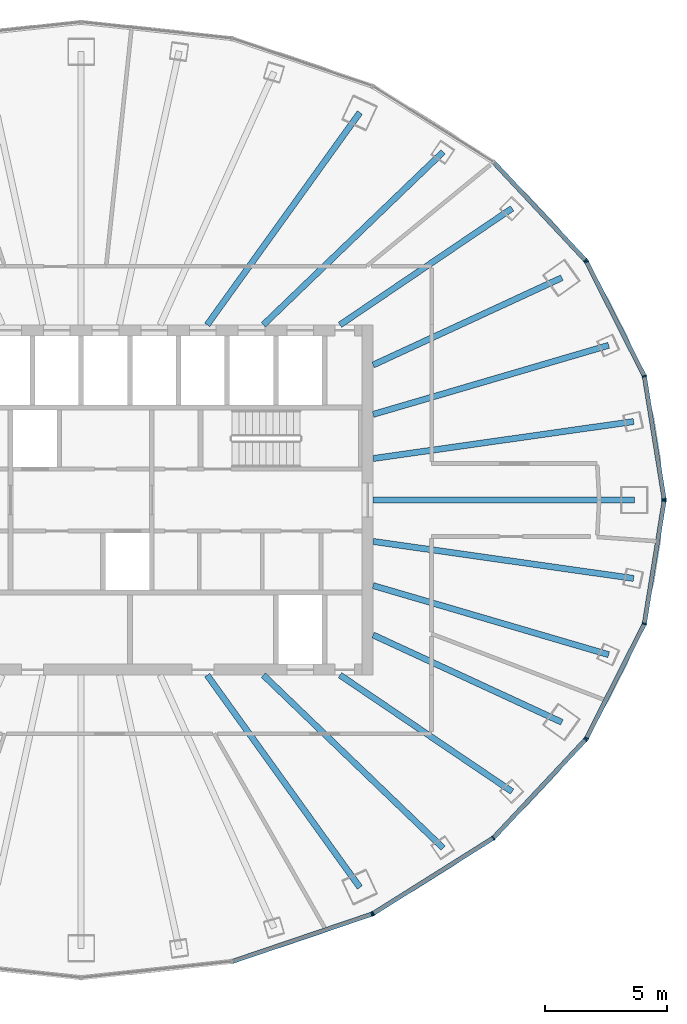
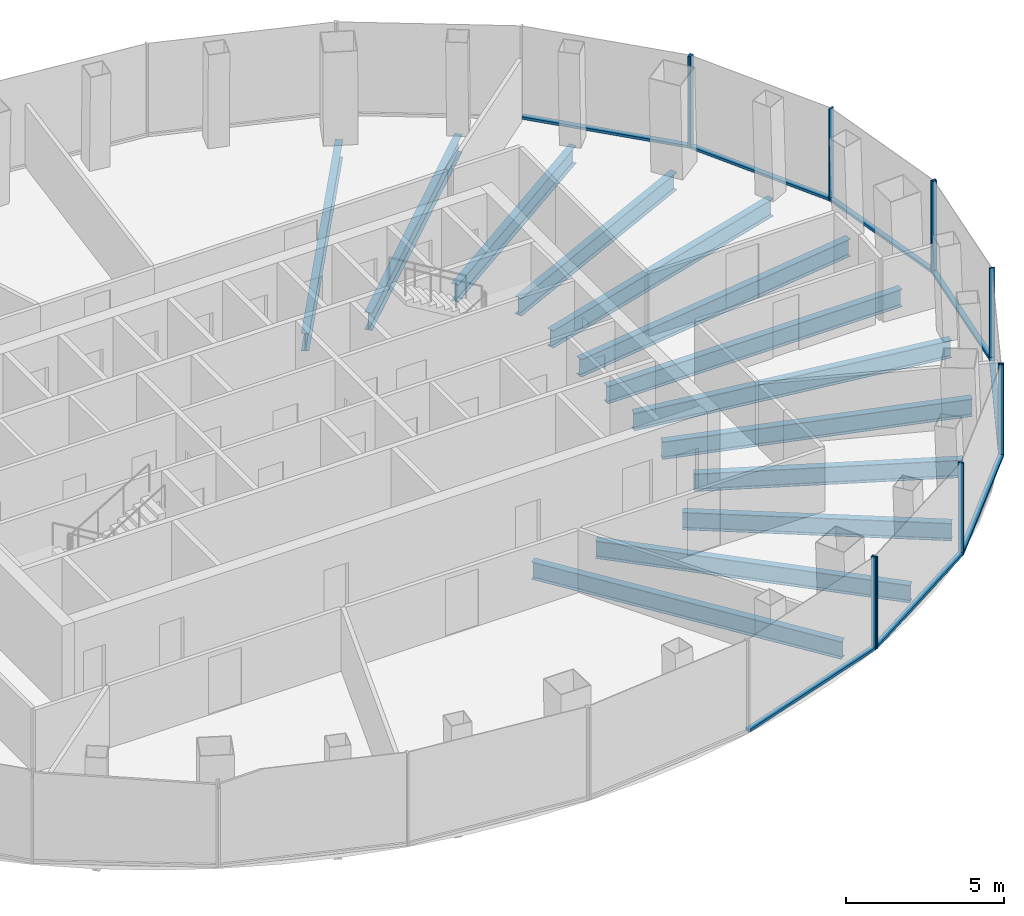
# One storey, part 4 of 10: 19 members, 13 beams, 5 elements without a shape of their own.
"""IFC4 building model written with IfcOpenShell, lengths in metres."""

from ifc_helpers import new_model, si_unit, direction, frame, origin, origin_2d, place, context, subcontext, project, spatial, rectangle, i_section, extrude, material, layer, layer_set, material_profile, profile_set, type_object, element, aggregate, save


model = new_model("IFC4")

# Units and contexts
model_context = context("Model", 3, precision=1e-05, world=origin(), true_north=direction((0.0, 1.0)))
body_context = subcontext(model_context, "Body", "Model", "MODEL_VIEW")
ifc_project = project(units=[si_unit("LENGTHUNIT", "METRE"), si_unit("AREAUNIT", "SQUARE_METRE"), si_unit("VOLUMEUNIT", "CUBIC_METRE"), si_unit("PLANEANGLEUNIT", "RADIAN"), si_unit("MASSUNIT", "GRAM", prefix="KILO")], contexts=[model_context])

# Site, building, storey
site_placement = place(None, origin())
site = spatial("IfcSite", under=ifc_project, at=site_placement, CompositionType="ELEMENT")
building_placement = place(site_placement, origin())
building = spatial("IfcBuilding", under=site, at=building_placement, Name="Siaravel Broadcast Tower", CompositionType="ELEMENT")
storey_placement = place(building_placement, frame((0.0, 0.0, 164.5)))
storey = spatial("IfcBuildingStorey", under=building, at=storey_placement, Name="L39", CompositionType="ELEMENT", Elevation=164.5)

# Beams
ifc_material_1 = material(Name="Steel S355", Category="steel")
ifc_material_profile_1 = material_profile(ifc_material_1, i_section(OverallWidth=0.2529296875, OverallDepth=0.677978515625, WebThickness=0.01171875, FlangeThickness=0.01611328125, FilletRadius=0.01513671875, at=origin_2d()))
ifc_profile_set_1 = profile_set([ifc_material_profile_1], Name="Steel S355")
beam_type = type_object("IfcBeamType", Name="BM-UB 686x254x125", PredefinedType="BEAM", material=ifc_profile_set_1)
beam_1_placement = place(storey_placement, frame((22.748779296875, 0.0, -0.489013671875), z_axis=(-1.0, 0.0, 0.0), x_axis=(0.0, -1.0, 0.0)))
element("IfcBeam", 1, at=beam_1_placement, inside=storey, type_object=beam_type, Name="Radial beam RB01", PredefinedType="BEAM", context=body_context, shape_type="SweptSolid", body=[
    extrude(i_section(OverallWidth=0.2529296875, OverallDepth=0.677978515625, WebThickness=0.01171875, FlangeThickness=0.01611328125, FilletRadius=0.01513671875, at=origin_2d()), origin(), (0.0, 0.0, 1.0), 10.748779296875),
])
beam_2_placement = place(storey_placement, frame((22.704345703125, 3.223876953125, -0.489013671875), z_axis=(-0.990067921, -0.140589871, 0.0), x_axis=(0.140589871, -0.990067921, 0.0)))
element("IfcBeam", 2, at=beam_2_placement, inside=storey, type_object=beam_type, Name="Radial beam RB02", PredefinedType="BEAM", context=body_context, shape_type="SweptSolid", body=[
    extrude(i_section(OverallWidth=0.2529296875, OverallDepth=0.677978515625, WebThickness=0.01171875, FlangeThickness=0.01611328125, FilletRadius=0.01513671875, at=origin_2d()), origin(), (0.0, 0.0, 1.0), 10.811767578125),
])
beam_3_placement = place(storey_placement, frame((21.679443359375, 6.3564453125, -0.489013671875), z_axis=(-0.959600267, -0.28136689, 0.0), x_axis=(0.28136689, -0.959600267, 0.0)))
element("IfcBeam", 3, at=beam_3_placement, inside=storey, type_object=beam_type, Name="Radial beam RB03", PredefinedType="BEAM", context=body_context, shape_type="SweptSolid", body=[
    extrude(i_section(OverallWidth=0.2529296875, OverallDepth=0.677978515625, WebThickness=0.01171875, FlangeThickness=0.01611328125, FilletRadius=0.01513671875, at=origin_2d()), origin(), (0.0, 0.0, 1.0), 10.0869140625),
])
beam_4_placement = place(storey_placement, frame((19.754638671875, 9.1337890625, -0.489013671875), z_axis=(-0.907674805, -0.419674218, 0.0), x_axis=(0.419674218, -0.907674805, 0.0)))
element("IfcBeam", 4, at=beam_4_placement, inside=storey, type_object=beam_type, Name="Radial beam RB04", PredefinedType="BEAM", context=body_context, shape_type="SweptSolid", body=[
    extrude(i_section(OverallWidth=0.2529296875, OverallDepth=0.677978515625, WebThickness=0.01171875, FlangeThickness=0.01611328125, FilletRadius=0.01513671875, at=origin_2d()), origin(), (0.0, 0.0, 1.0), 8.54345703125),
])
beam_5_placement = place(storey_placement, frame((17.71044921875, 11.984375, -0.489013671875), z_axis=(-0.828198305, -0.560435159, 0.0), x_axis=(0.560435159, -0.828198305, 0.0)))
element("IfcBeam", 5, at=beam_5_placement, inside=storey, type_object=beam_type, Name="Radial beam RB05", PredefinedType="BEAM", context=body_context, shape_type="SweptSolid", body=[
    extrude(i_section(OverallWidth=0.2529296875, OverallDepth=0.677978515625, WebThickness=0.01171875, FlangeThickness=0.01611328125, FilletRadius=0.01513671875, at=origin_2d()), origin(), (0.0, 0.0, 1.0), 8.536865234375),
])
beam_6_placement = place(storey_placement, frame((14.876708984375, 14.305419921875, -0.489013671875), z_axis=(-0.720808352, -0.693134417, 0.0), x_axis=(0.693134417, -0.720808352, 0.0)))
element("IfcBeam", 6, at=beam_6_placement, inside=storey, type_object=beam_type, Name="Radial beam RB06", PredefinedType="BEAM", context=body_context, shape_type="SweptSolid", body=[
    extrude(i_section(OverallWidth=0.2529296875, OverallDepth=0.677978515625, WebThickness=0.01171875, FlangeThickness=0.01611328125, FilletRadius=0.01513671875, at=origin_2d()), origin(), (0.0, 0.0, 1.0), 10.251220703125),
])
for number, where, z_axis, x_axis, name in (
    (7, (11.4541015625, 15.92333984375, -0.489013671875), (-0.583940769, -0.811796266, 0.0), (0.811796266, -0.583940769, 0.0), "Radial beam RB07"),
    (8, (11.4541015625, -15.92333984375, -0.489013671875), (-0.583940769, 0.811796266, 0.0), (-0.811796266, -0.583940769, 0.0), "Radial beam RB31"),
):
    element("IfcBeam", number, at=place(storey_placement, frame(where, z_axis=z_axis, x_axis=x_axis)), inside=storey, type_object=beam_type, Name=name, PredefinedType="BEAM", context=body_context, shape_type="SweptSolid", body=[
        extrude(i_section(OverallWidth=0.2529296875, OverallDepth=0.677978515625, WebThickness=0.01171875, FlangeThickness=0.01611328125, FilletRadius=0.01513671875, at=origin_2d()), origin(), (0.0, 0.0, 1.0), 10.745849609375),
    ])
beam_7_placement = place(storey_placement, frame((14.876708984375, -14.305419921875, -0.489013671875), z_axis=(-0.720808352, 0.693134417, 0.0), x_axis=(-0.693134417, -0.720808352, 0.0)))
element("IfcBeam", 9, at=beam_7_placement, inside=storey, type_object=beam_type, Name="Radial beam RB32", PredefinedType="BEAM", context=body_context, shape_type="SweptSolid", body=[
    extrude(i_section(OverallWidth=0.2529296875, OverallDepth=0.677978515625, WebThickness=0.01171875, FlangeThickness=0.01611328125, FilletRadius=0.01513671875, at=origin_2d()), origin(), (0.0, 0.0, 1.0), 10.251220703125),
])
beam_8_placement = place(storey_placement, frame((17.71044921875, -11.984375, -0.489013671875), z_axis=(-0.828198305, 0.560435159, 0.0), x_axis=(-0.560435159, -0.828198305, 0.0)))
element("IfcBeam", 10, at=beam_8_placement, inside=storey, type_object=beam_type, Name="Radial beam RB33", PredefinedType="BEAM", context=body_context, shape_type="SweptSolid", body=[
    extrude(i_section(OverallWidth=0.2529296875, OverallDepth=0.677978515625, WebThickness=0.01171875, FlangeThickness=0.01611328125, FilletRadius=0.01513671875, at=origin_2d()), origin(), (0.0, 0.0, 1.0), 8.536865234375),
])
beam_9_placement = place(storey_placement, frame((19.754638671875, -9.1337890625, -0.489013671875), z_axis=(-0.907674805, 0.419674218, 0.0), x_axis=(-0.419674218, -0.907674805, 0.0)))
element("IfcBeam", 11, at=beam_9_placement, inside=storey, type_object=beam_type, Name="Radial beam RB34", PredefinedType="BEAM", context=body_context, shape_type="SweptSolid", body=[
    extrude(i_section(OverallWidth=0.2529296875, OverallDepth=0.677978515625, WebThickness=0.01171875, FlangeThickness=0.01611328125, FilletRadius=0.01513671875, at=origin_2d()), origin(), (0.0, 0.0, 1.0), 8.54345703125),
])
beam_10_placement = place(storey_placement, frame((21.679443359375, -6.3564453125, -0.489013671875), z_axis=(-0.959600267, 0.28136689, 0.0), x_axis=(-0.28136689, -0.959600267, 0.0)))
element("IfcBeam", 12, at=beam_10_placement, inside=storey, type_object=beam_type, Name="Radial beam RB35", PredefinedType="BEAM", context=body_context, shape_type="SweptSolid", body=[
    extrude(i_section(OverallWidth=0.2529296875, OverallDepth=0.677978515625, WebThickness=0.01171875, FlangeThickness=0.01611328125, FilletRadius=0.01513671875, at=origin_2d()), origin(), (0.0, 0.0, 1.0), 10.0869140625),
])
beam_11_placement = place(storey_placement, frame((22.704345703125, -3.223876953125, -0.489013671875), z_axis=(-0.990067921, 0.140589871, 0.0), x_axis=(-0.140589871, -0.990067921, 0.0)))
element("IfcBeam", 13, at=beam_11_placement, inside=storey, type_object=beam_type, Name="Radial beam RB36", PredefinedType="BEAM", context=body_context, shape_type="SweptSolid", body=[
    extrude(i_section(OverallWidth=0.2529296875, OverallDepth=0.677978515625, WebThickness=0.01171875, FlangeThickness=0.01611328125, FilletRadius=0.01513671875, at=origin_2d()), origin(), (0.0, 0.0, 1.0), 10.811767578125),
])

# Curtain wall, members
ifc_material_2 = material(Name="Aluminium 6063-T6", Category="aluminium")
ifc_layer = layer(ifc_material_2, 0.179931640625)
ifc_layer_set = layer_set([ifc_layer], Name="Aluminium 6063-T6")
curtain_wall_type = type_object("IfcCurtainWallType", Name="Unitised curtain wall, zone 3", PredefinedType="NOTDEFINED", material=ifc_layer_set)
curtain_wall_1_placement = place(storey_placement, origin())
curtain_wall_1 = element("IfcCurtainWall", 14, at=curtain_wall_1_placement, inside=storey, type_object=curtain_wall_type, Name="L39 Unitised curtain wall, zone 3 01", PredefinedType="NOTDEFINED")
ifc_material_profile_2 = material_profile(ifc_material_2, rectangle(XDim=0.179931640625, YDim=0.06005859375, at=origin_2d()))
ifc_profile_set_2 = profile_set([ifc_material_profile_2], Name="Aluminium 6063-T6")
member_type_1 = type_object("IfcMemberType", Name="CW-Z3 mullion", PredefinedType="MULLION", material=ifc_profile_set_2)
member_1_placement = place(storey_placement, frame((23.9580078125, 0.029541015625, 0.0), z_axis=(0.0, 0.0, 1.0), x_axis=(-0.987329251, -0.158685063, 0.0)))
member_1 = element("IfcMember", 15, at=member_1_placement, type_object=member_type_1, Name="CW-Z3 mullion 1", PredefinedType="MULLION", context=body_context, shape_type="SweptSolid", body=[
    extrude(rectangle(XDim=0.179931640625, YDim=0.06005859375, at=origin_2d()), origin(), (0.0, 0.0, 1.0), 3.550048828125),
])
member_2_placement = place(storey_placement, frame((23.1455078125, 5.085205078125, 0.0), z_axis=(0.0, 0.0, 1.0), x_axis=(-0.951177457, -0.30864453, 0.0)))
member_2 = element("IfcMember", 16, at=member_2_placement, type_object=member_type_1, Name="CW-Z3 mullion 2", PredefinedType="MULLION", context=body_context, shape_type="SweptSolid", body=[
    extrude(rectangle(XDim=0.179931640625, YDim=0.06005859375, at=origin_2d()), origin(), (0.0, 0.0, 1.0), 3.550048828125),
])
member_3_placement = place(storey_placement, frame((20.763427734375, 9.795654296875, 0.0), z_axis=(0.0, 0.0, 1.0), x_axis=(-0.89239259, -0.451259864, 0.0)))
member_3 = element("IfcMember", 17, at=member_3_placement, type_object=member_type_1, Name="CW-Z3 mullion 3", PredefinedType="MULLION", context=body_context, shape_type="SweptSolid", body=[
    extrude(rectangle(XDim=0.179931640625, YDim=0.06005859375, at=origin_2d()), origin(), (0.0, 0.0, 1.0), 3.550048828125),
])

# Curtain wall, member
curtain_wall_2_placement = place(storey_placement, origin())
curtain_wall_2 = element("IfcCurtainWall", 18, at=curtain_wall_2_placement, inside=storey, type_object=curtain_wall_type, Name="L39 Unitised curtain wall, zone 3 02", PredefinedType="NOTDEFINED")
member_4_placement = place(storey_placement, frame((20.7294921875, 9.844482421875, 0.0), z_axis=(0.0, 0.0, 1.0), x_axis=(-0.729806172, -0.683654117, 0.0)))
member_4 = element("IfcMember", 19, at=member_4_placement, type_object=member_type_1, Name="CW-Z3 mullion 1", PredefinedType="MULLION", context=body_context, shape_type="SweptSolid", body=[
    extrude(rectangle(XDim=0.179931640625, YDim=0.06005859375, at=origin_2d()), origin(), (0.0, 0.0, 1.0), 3.550048828125),
])

curtain_wall_3_placement = place(storey_placement, origin())
curtain_wall_3 = element("IfcCurtainWall", 20, at=curtain_wall_3_placement, inside=storey, type_object=curtain_wall_type, Name="L39 Unitised curtain wall, zone 3 10", PredefinedType="NOTDEFINED")
member_5_placement = place(storey_placement, frame((11.949462890625, -17.017822265625, 0.0), z_axis=(0.0, 0.0, 1.0), x_axis=(-0.321301405, 0.946976983, 0.0)))
member_5 = element("IfcMember", 21, at=member_5_placement, type_object=member_type_1, Name="CW-Z3 mullion 3", PredefinedType="MULLION", context=body_context, shape_type="SweptSolid", body=[
    extrude(rectangle(XDim=0.179931640625, YDim=0.06005859375, at=origin_2d()), origin(), (0.0, 0.0, 1.0), 3.550048828125),
])

# Curtain wall, members
curtain_wall_4_placement = place(storey_placement, origin())
curtain_wall_4 = element("IfcCurtainWall", 22, at=curtain_wall_4_placement, inside=storey, type_object=curtain_wall_type, Name="L39 Unitised curtain wall, zone 3 11", PredefinedType="NOTDEFINED")
member_6_placement = place(storey_placement, frame((12.003173828125, -16.9921875, 0.0), z_axis=(0.0, 0.0, 1.0), x_axis=(-0.532150259, 0.846649928, 0.0)))
member_6 = element("IfcMember", 23, at=member_6_placement, type_object=member_type_1, Name="CW-Z3 mullion 1", PredefinedType="MULLION", context=body_context, shape_type="SweptSolid", body=[
    extrude(rectangle(XDim=0.179931640625, YDim=0.06005859375, at=origin_2d()), origin(), (0.0, 0.0, 1.0), 3.550048828125),
])
member_7_placement = place(storey_placement, frame((16.940673828125, -13.888916015625, 0.0), z_axis=(0.0, 0.0, 1.0), x_axis=(-0.63621963, 0.771507993, 0.0)))
member_7 = element("IfcMember", 24, at=member_7_placement, type_object=member_type_1, Name="CW-Z3 mullion 2", PredefinedType="MULLION", context=body_context, shape_type="SweptSolid", body=[
    extrude(rectangle(XDim=0.179931640625, YDim=0.06005859375, at=origin_2d()), origin(), (0.0, 0.0, 1.0), 3.550048828125),
])
member_8_placement = place(storey_placement, frame((20.7294921875, -9.844482421875, 0.0), z_axis=(0.0, 0.0, 1.0), x_axis=(-0.729806172, 0.683654117, 0.0)))
member_8 = element("IfcMember", 25, at=member_8_placement, type_object=member_type_1, Name="CW-Z3 mullion 3", PredefinedType="MULLION", context=body_context, shape_type="SweptSolid", body=[
    extrude(rectangle(XDim=0.179931640625, YDim=0.06005859375, at=origin_2d()), origin(), (0.0, 0.0, 1.0), 3.550048828125),
])

curtain_wall_5_placement = place(storey_placement, origin())
curtain_wall_5 = element("IfcCurtainWall", 26, at=curtain_wall_5_placement, inside=storey, type_object=curtain_wall_type, Name="L39 Unitised curtain wall, zone 3 12", PredefinedType="NOTDEFINED")
member_9_placement = place(storey_placement, frame((20.763427734375, -9.795654296875, 0.0), z_axis=(0.0, 0.0, 1.0), x_axis=(-0.89239259, 0.451259864, 0.0)))
member_9 = element("IfcMember", 27, at=member_9_placement, type_object=member_type_1, Name="CW-Z3 mullion 1", PredefinedType="MULLION", context=body_context, shape_type="SweptSolid", body=[
    extrude(rectangle(XDim=0.179931640625, YDim=0.06005859375, at=origin_2d()), origin(), (0.0, 0.0, 1.0), 3.550048828125),
])
member_10_placement = place(storey_placement, frame((23.1455078125, -5.085205078125, 0.0), z_axis=(0.0, 0.0, 1.0), x_axis=(-0.951177457, 0.30864453, 0.0)))
member_10 = element("IfcMember", 28, at=member_10_placement, type_object=member_type_1, Name="CW-Z3 mullion 2", PredefinedType="MULLION", context=body_context, shape_type="SweptSolid", body=[
    extrude(rectangle(XDim=0.179931640625, YDim=0.06005859375, at=origin_2d()), origin(), (0.0, 0.0, 1.0), 3.550048828125),
])
member_11_placement = place(storey_placement, frame((23.9580078125, -0.029541015625, 0.0), z_axis=(0.0, 0.0, 1.0), x_axis=(-0.987329251, 0.158685063, 0.0)))
member_11 = element("IfcMember", 29, at=member_11_placement, type_object=member_type_1, Name="CW-Z3 mullion 3", PredefinedType="MULLION", context=body_context, shape_type="SweptSolid", body=[
    extrude(rectangle(XDim=0.179931640625, YDim=0.06005859375, at=origin_2d()), origin(), (0.0, 0.0, 1.0), 3.550048828125),
])

# Member
ifc_material_profile_3 = material_profile(ifc_material_2, rectangle(XDim=0.179931640625, YDim=0.10009765625, at=origin_2d()))
ifc_profile_set_3 = profile_set([ifc_material_profile_3], Name="Aluminium 6063-T6")
member_type_2 = type_object("IfcMemberType", Name="CW-Z3 transom", PredefinedType="USERDEFINED", material=ifc_profile_set_3)
member_12_placement = place(storey_placement, frame((23.953369140625, 0.05908203125, 0.050048828125), z_axis=(-0.158677256, 0.987330506, 0.0), x_axis=(-0.987330506, -0.158677256, 0.0)))
member_12 = element("IfcMember", 30, at=member_12_placement, type_object=member_type_2, Name="CW-Z3 transom 1", ObjectType="TRANSOM", PredefinedType="USERDEFINED", context=body_context, shape_type="SweptSolid", body=[
    extrude(rectangle(XDim=0.179931640625, YDim=0.10009765625, at=origin_2d()), origin(), (0.0, 0.0, 1.0), 5.060546875),
])

member_13_placement = place(storey_placement, frame((23.132080078125, 5.11181640625, 0.050048828125), z_axis=(-0.451269759, 0.892387586, 0.0), x_axis=(-0.892387586, -0.451269759, 0.0)))
member_13 = element("IfcMember", 31, at=member_13_placement, type_object=member_type_2, Name="CW-Z3 transom 2", ObjectType="TRANSOM", PredefinedType="USERDEFINED", context=body_context, shape_type="SweptSolid", body=[
    extrude(rectangle(XDim=0.179931640625, YDim=0.10009765625, at=origin_2d()), origin(), (0.0, 0.0, 1.0), 5.218505859375),
])

aggregate(curtain_wall_1, [member_1, member_2, member_3, member_12, member_13])

member_14_placement = place(storey_placement, frame((20.708984375, 9.8662109375, 0.050048828125), z_axis=(-0.68363887, 0.729820454, 0.0), x_axis=(-0.729820454, -0.68363887, 0.0)))
member_14 = element("IfcMember", 32, at=member_14_placement, type_object=member_type_2, Name="CW-Z3 transom 1", ObjectType="TRANSOM", PredefinedType="USERDEFINED", context=body_context, shape_type="SweptSolid", body=[
    extrude(rectangle(XDim=0.179931640625, YDim=0.10009765625, at=origin_2d()), origin(), (0.0, 0.0, 1.0), 5.482177734375),
])

aggregate(curtain_wall_2, [member_4, member_14])

member_15_placement = place(storey_placement, frame((6.228271484375, -18.958984375, 0.050048828125), z_axis=(0.946980245, 0.321291792, 0.0), x_axis=(-0.321291792, 0.946980245, 0.0)))
member_15 = element("IfcMember", 33, at=member_15_placement, type_object=member_type_2, Name="CW-Z3 transom 2", ObjectType="TRANSOM", PredefinedType="USERDEFINED", context=body_context, shape_type="SweptSolid", body=[
    extrude(rectangle(XDim=0.179931640625, YDim=0.10009765625, at=origin_2d()), origin(), (0.0, 0.0, 1.0), 6.01123046875),
])

aggregate(curtain_wall_3, [member_5, member_15])

member_16_placement = place(storey_placement, frame((12.028564453125, -16.976318359375, 0.050048828125), z_axis=(0.846664863, 0.532126498, 0.0), x_axis=(-0.532126498, 0.846664863, 0.0)))
member_16 = element("IfcMember", 34, at=member_16_placement, type_object=member_type_2, Name="CW-Z3 transom 1", ObjectType="TRANSOM", PredefinedType="USERDEFINED", context=body_context, shape_type="SweptSolid", body=[
    extrude(rectangle(XDim=0.179931640625, YDim=0.10009765625, at=origin_2d()), origin(), (0.0, 0.0, 1.0), 5.771728515625),
])

member_17_placement = place(storey_placement, frame((16.961181640625, -13.8671875, 0.050048828125), z_axis=(0.68363887, 0.729820454, 0.0), x_axis=(-0.729820454, 0.68363887, 0.0)))
member_17 = element("IfcMember", 35, at=member_17_placement, type_object=member_type_2, Name="CW-Z3 transom 2", ObjectType="TRANSOM", PredefinedType="USERDEFINED", context=body_context, shape_type="SweptSolid", body=[
    extrude(rectangle(XDim=0.179931640625, YDim=0.10009765625, at=origin_2d()), origin(), (0.0, 0.0, 1.0), 5.482177734375),
])

aggregate(curtain_wall_4, [member_6, member_7, member_8, member_16, member_17])

member_18_placement = place(storey_placement, frame((20.777099609375, -9.768798828125, 0.050048828125), z_axis=(0.451269759, 0.892387586, 0.0), x_axis=(-0.892387586, 0.451269759, 0.0)))
member_18 = element("IfcMember", 36, at=member_18_placement, type_object=member_type_2, Name="CW-Z3 transom 1", ObjectType="TRANSOM", PredefinedType="USERDEFINED", context=body_context, shape_type="SweptSolid", body=[
    extrude(rectangle(XDim=0.179931640625, YDim=0.10009765625, at=origin_2d()), origin(), (0.0, 0.0, 1.0), 5.218505859375),
])

member_19_placement = place(storey_placement, frame((23.150390625, -5.055419921875, 0.050048828125), z_axis=(0.158677256, 0.987330506, 0.0), x_axis=(-0.987330506, 0.158677256, 0.0)))
member_19 = element("IfcMember", 37, at=member_19_placement, type_object=member_type_2, Name="CW-Z3 transom 2", ObjectType="TRANSOM", PredefinedType="USERDEFINED", context=body_context, shape_type="SweptSolid", body=[
    extrude(rectangle(XDim=0.179931640625, YDim=0.10009765625, at=origin_2d()), origin(), (0.0, 0.0, 1.0), 5.060546875),
])

aggregate(curtain_wall_5, [member_9, member_10, member_11, member_18, member_19])

save(model, "model.ifc")
